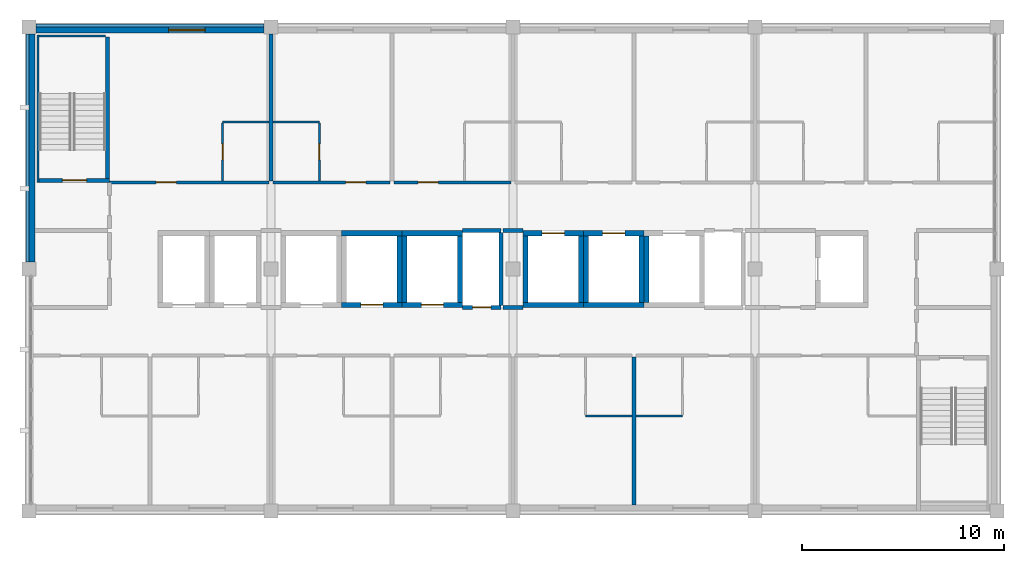
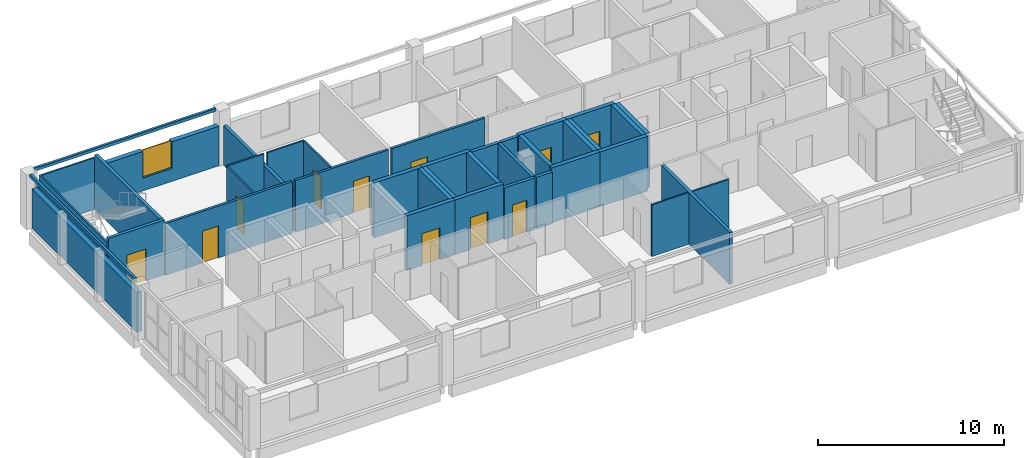
# One storey, part 7 of 11: 40 walls, 11 doors, 1 window, 12 openings.
"""IFC4 building model written with IfcOpenShell, lengths in metres."""

from ifc_helpers import new_model, si_unit, direction, frame, frame_2d, origin, place, context, subcontext, project, spatial, rectangle, extrude, material, layer, layer_set, type_object, element, fill, save


model = new_model("IFC4")

# Units and contexts
model_context = context("Model", 3, precision=1e-05, world=origin(), true_north=direction((0.0, 1.0)))
body_context = subcontext(model_context, "Body", "Model", "MODEL_VIEW")
ifc_project = project(units=[si_unit("LENGTHUNIT", "METRE"), si_unit("AREAUNIT", "SQUARE_METRE"), si_unit("VOLUMEUNIT", "CUBIC_METRE"), si_unit("PLANEANGLEUNIT", "RADIAN"), si_unit("MASSUNIT", "GRAM", prefix="KILO")], contexts=[model_context])

# Site, building, storey
site_placement = place(None, origin())
site = spatial("IfcSite", under=ifc_project, at=site_placement, CompositionType="ELEMENT")
building_placement = place(site_placement, origin())
building = spatial("IfcBuilding", under=site, at=building_placement, Name="Lilac Gate Convention Centre", CompositionType="ELEMENT")
storey_placement = place(building_placement, frame((0.0, 0.0, 60.60009765625)))
storey = spatial("IfcBuildingStorey", under=building, at=storey_placement, Name="L15", CompositionType="ELEMENT", Elevation=60.60009765625)

# Walls
ifc_material_1 = material(Name="Concrete C40", Category="concrete")
ifc_layer_1 = layer(ifc_material_1, 0.10009765625)
ifc_layer_set_1 = layer_set([ifc_layer_1], Name="Concrete C40")
wall_type_1 = type_object("IfcWallType", Name="Core wall 100 C40", PredefinedType="SHEAR", material=ifc_layer_set_1)
wall_1_placement = place(storey_placement, frame((42.449951171875, 238.300048828125, 0.0), z_axis=(0.0, 0.0, 1.0), x_axis=(0.0, 1.0, 0.0)))
element("IfcWall", 1, at=wall_1_placement, inside=storey, type_object=wall_type_1, Name="CRW10 core wall TS-WX L15 1", PredefinedType="SHEAR", context=body_context, shape_type="SweptSolid", body=[
    extrude(rectangle(XDim=7.300048828125, YDim=0.10009765625, at=frame_2d((3.64990234375, 0.0))), origin(), (0.0, 0.0, 1.0), 3.39990234375),
])
wall_2_placement = place(storey_placement, frame((42.5, 245.550048828125, 0.0), z_axis=(0.0, 0.0, 1.0), x_axis=(1.0, 0.0, 0.0)))
element("IfcWall", 2, at=wall_2_placement, inside=storey, type_object=wall_type_1, Name="CRW10 core wall TS-WX L15 2", PredefinedType="SHEAR", context=body_context, shape_type="SweptSolid", body=[
    extrude(rectangle(XDim=3.300048828125, YDim=0.10009765625, at=frame_2d((1.64990234375, 0.0))), origin(), (0.0, 0.0, 1.0), 3.39990234375),
])

# Wall, opening, door
ifc_layer_2 = layer(ifc_material_1, 0.199951171875)
ifc_layer_set_2 = layer_set([ifc_layer_2], Name="Concrete C40")
wall_type_2 = type_object("IfcWallType", Name="Core wall 200 C40", PredefinedType="SHEAR", material=ifc_layer_set_2)
wall_3_placement = place(storey_placement, frame((42.5, 238.39990234375, 0.0), z_axis=(0.0, 0.0, 1.0), x_axis=(1.0, 0.0, 0.0)))
wall_3 = element("IfcWall", 3, at=wall_3_placement, inside=storey, type_object=wall_type_2, Name="CRW7 core wall TS-W L15 1", PredefinedType="SHEAR", context=body_context, shape_type="SweptSolid", body=[
    extrude(rectangle(XDim=3.5, YDim=0.199951171875, at=frame_2d((1.75, 0.0))), origin(), (0.0, 0.0, 1.0), 3.599853515625),
])
opening_1_placement = place(wall_3_placement, frame((1.14990234375, 0.0, 0.0)))
opening_1 = element("IfcOpeningElement", 4, at=opening_1_placement, cuts=wall_3, Name="Opening T15-045", PredefinedType="OPENING", context=body_context, shape_type="SweptSolid", body=[
    extrude(rectangle(XDim=1.199951171875, YDim=2.10009765625, at=frame_2d((0.60009765625, 1.050048828125))), frame((0.0, 0.10986328125, 0.0), z_axis=(0.0, -1.0, 0.0), x_axis=(1.0, 0.0, 0.0)), (0.0, 0.0, 1.0), 0.219970703125),
])
ifc_material_2 = material(Name="Steel Q235B", Category="steel")
door_type_1 = type_object("IfcDoorType", Name="Stair door 1200", OperationType="SINGLE_SWING_LEFT", PredefinedType="DOOR", material=ifc_material_2)
door_1_placement = place(opening_1_placement, origin())
door_1 = element("IfcDoor", 5, at=door_1_placement, inside=storey, type_object=door_type_1, Name="Stair door NW L15", OperationType="SINGLE_SWING_RIGHT", OverallHeight=2.10009765625, OverallWidth=1.199951171875, PredefinedType="DOOR", context=body_context, shape_type="SweptSolid", body=[
    extrude(rectangle(XDim=1.199951171875, YDim=2.10009765625, at=frame_2d((0.60009765625, 1.050048828125))), frame((0.0, 0.02490234375, 0.0), z_axis=(0.0, -1.0, 0.0), x_axis=(1.0, 0.0, 0.0)), (0.0, 0.0, 1.0), 0.050048828125),
])
fill(opening_1, door_1)

# Wall
wall_4_placement = place(storey_placement, frame((45.89990234375, 238.5, 0.0), z_axis=(0.0, 0.0, 1.0), x_axis=(0.0, 1.0, 0.0)))
element("IfcWall", 6, at=wall_4_placement, inside=storey, type_object=wall_type_2, Name="CRW7 core wall TS-W L15 2", PredefinedType="SHEAR", context=body_context, shape_type="SweptSolid", body=[
    extrude(rectangle(XDim=7.0, YDim=0.199951171875, at=frame_2d((3.5, 0.0))), origin(), (0.0, 0.0, 1.0), 3.599853515625),
])

# Wall, opening, door
ifc_layer_3 = layer(ifc_material_1, 0.25)
ifc_layer_set_3 = layer_set([ifc_layer_3], Name="Concrete C40")
wall_type_3 = type_object("IfcWallType", Name="Core wall 250 C40", PredefinedType="SHEAR", material=ifc_layer_set_3)
wall_5_placement = place(storey_placement, frame((57.5, 232.22509765625, 0.0), z_axis=(0.0, 0.0, 1.0), x_axis=(1.0, 0.0, 0.0)))
wall_5 = element("IfcWall", 7, at=wall_5_placement, inside=storey, type_object=wall_type_3, Name="CRW5 core wall TC L15 5", PredefinedType="SHEAR", context=body_context, shape_type="SweptSolid", body=[
    extrude(rectangle(XDim=3.0, YDim=0.25, at=frame_2d((1.5, 0.0))), origin(), (0.0, 0.0, 1.0), 3.599853515625),
])
opening_2_placement = place(wall_5_placement, frame((0.949951171875, 0.0, 0.0)))
opening_2 = element("IfcOpeningElement", 8, at=opening_2_placement, cuts=wall_5, Name="Opening T15-037", PredefinedType="OPENING", context=body_context, shape_type="SweptSolid", body=[
    extrude(rectangle(XDim=1.10009765625, YDim=2.10009765625, at=frame_2d((0.550048828125, 1.050048828125))), frame((0.0, 0.135009765625, 0.0), z_axis=(0.0, -1.0, 0.0), x_axis=(1.0, 0.0, 0.0)), (0.0, 0.0, 1.0), 0.27001953125),
])
ifc_material_3 = material(Name="Stainless steel 304", Category="steel")
door_type_2 = type_object("IfcDoorType", Name="Lift landing door 1100", OperationType="SLIDING_TO_LEFT", PredefinedType="DOOR", material=ifc_material_3)
door_2_placement = place(opening_2_placement, origin())
door_2 = element("IfcDoor", 9, at=door_2_placement, inside=storey, type_object=door_type_2, Name="Lift landing door TP2 L15", OperationType="SLIDING_TO_LEFT", OverallHeight=2.10009765625, OverallWidth=1.10009765625, PredefinedType="DOOR", context=body_context, shape_type="SweptSolid", body=[
    extrude(rectangle(XDim=1.10009765625, YDim=2.10009765625, at=frame_2d((0.550048828125, 1.050048828125))), frame((0.0, 0.02490234375, 0.0), z_axis=(0.0, -1.0, 0.0), x_axis=(1.0, 0.0, 0.0)), (0.0, 0.0, 1.0), 0.050048828125),
])
fill(opening_2, door_2)

# Walls
wall_6_placement = place(storey_placement, frame((57.5, 235.77490234375, 0.0), z_axis=(0.0, 0.0, 1.0), x_axis=(1.0, 0.0, 0.0)))
element("IfcWall", 10, at=wall_6_placement, inside=storey, type_object=wall_type_3, Name="CRW5 core wall TC L15 6", PredefinedType="SHEAR", context=body_context, shape_type="SweptSolid", body=[
    extrude(rectangle(XDim=3.0, YDim=0.25, at=frame_2d((1.5, 0.0))), origin(), (0.0, 0.0, 1.0), 3.599853515625),
])
wall_7_placement = place(storey_placement, frame((60.375, 232.35009765625, 0.0), z_axis=(0.0, 0.0, 1.0), x_axis=(0.0, 1.0, 0.0)))
element("IfcWall", 11, at=wall_7_placement, inside=storey, type_object=wall_type_3, Name="CRW5 core wall TC L15 8", PredefinedType="SHEAR", context=body_context, shape_type="SweptSolid", body=[
    extrude(rectangle(XDim=3.2998046875, YDim=0.25, at=frame_2d((1.64990234375, 0.0))), origin(), (0.0, 0.0, 1.0), 3.599853515625),
])

# Wall, opening, door
wall_8_placement = place(storey_placement, frame((60.5, 232.22509765625, 0.0), z_axis=(0.0, 0.0, 1.0), x_axis=(1.0, 0.0, 0.0)))
wall_8 = element("IfcWall", 12, at=wall_8_placement, inside=storey, type_object=wall_type_3, Name="CRW5 core wall TC L15 9", PredefinedType="SHEAR", context=body_context, shape_type="SweptSolid", body=[
    extrude(rectangle(XDim=3.0, YDim=0.25, at=frame_2d((1.5, 0.0))), origin(), (0.0, 0.0, 1.0), 3.599853515625),
])
opening_3_placement = place(wall_8_placement, frame((0.949951171875, 0.0, 0.0)))
opening_3 = element("IfcOpeningElement", 13, at=opening_3_placement, cuts=wall_8, Name="Opening T15-038", PredefinedType="OPENING", context=body_context, shape_type="SweptSolid", body=[
    extrude(rectangle(XDim=1.10009765625, YDim=2.10009765625, at=frame_2d((0.550048828125, 1.050048828125))), frame((0.0, 0.135009765625, 0.0), z_axis=(0.0, -1.0, 0.0), x_axis=(1.0, 0.0, 0.0)), (0.0, 0.0, 1.0), 0.27001953125),
])
door_3_placement = place(opening_3_placement, origin())
door_3 = element("IfcDoor", 14, at=door_3_placement, inside=storey, type_object=door_type_2, Name="Lift landing door TP3 L15", OperationType="SLIDING_TO_LEFT", OverallHeight=2.10009765625, OverallWidth=1.10009765625, PredefinedType="DOOR", context=body_context, shape_type="SweptSolid", body=[
    extrude(rectangle(XDim=1.10009765625, YDim=2.10009765625, at=frame_2d((0.550048828125, 1.050048828125))), frame((0.0, 0.02490234375, 0.0), z_axis=(0.0, -1.0, 0.0), x_axis=(1.0, 0.0, 0.0)), (0.0, 0.0, 1.0), 0.050048828125),
])
fill(opening_3, door_3)

# Walls
wall_9_placement = place(storey_placement, frame((60.5, 235.77490234375, 0.0), z_axis=(0.0, 0.0, 1.0), x_axis=(1.0, 0.0, 0.0)))
element("IfcWall", 15, at=wall_9_placement, inside=storey, type_object=wall_type_3, Name="CRW5 core wall TC L15 10", PredefinedType="SHEAR", context=body_context, shape_type="SweptSolid", body=[
    extrude(rectangle(XDim=3.0, YDim=0.25, at=frame_2d((1.5, 0.0))), origin(), (0.0, 0.0, 1.0), 3.599853515625),
])
for number, where, z_axis, x_axis, name in (
    (16, (60.625, 232.35009765625, 0.0), (0.0, 0.0, 1.0), (0.0, 1.0, 0.0), "CRW5 core wall TC L15 11"),
    (17, (63.375, 232.35009765625, 0.0), (0.0, 0.0, 1.0), (0.0, 1.0, 0.0), "CRW5 core wall TC L15 12"),
):
    element("IfcWall", number, at=place(storey_placement, frame(where, z_axis=z_axis, x_axis=x_axis)), inside=storey, type_object=wall_type_3, Name=name, PredefinedType="SHEAR", context=body_context, shape_type="SweptSolid", body=[
        extrude(rectangle(XDim=3.2998046875, YDim=0.25, at=frame_2d((1.64990234375, 0.0))), origin(), (0.0, 0.0, 1.0), 3.599853515625),
    ])
wall_10_placement = place(storey_placement, frame((66.5, 232.22509765625, 0.0), z_axis=(0.0, 0.0, 1.0), x_axis=(1.0, 0.0, 0.0)))
element("IfcWall", 18, at=wall_10_placement, inside=storey, type_object=wall_type_3, Name="CRW5 core wall TC L15 13", PredefinedType="SHEAR", context=body_context, shape_type="SweptSolid", body=[
    extrude(rectangle(XDim=3.0, YDim=0.25, at=frame_2d((1.5, 0.0))), origin(), (0.0, 0.0, 1.0), 3.599853515625),
])

# Wall, opening, door
wall_11_placement = place(storey_placement, frame((66.5, 235.77490234375, 0.0), z_axis=(0.0, 0.0, 1.0), x_axis=(1.0, 0.0, 0.0)))
wall_11 = element("IfcWall", 19, at=wall_11_placement, inside=storey, type_object=wall_type_3, Name="CRW5 core wall TC L15 14", PredefinedType="SHEAR", context=body_context, shape_type="SweptSolid", body=[
    extrude(rectangle(XDim=3.0, YDim=0.25, at=frame_2d((1.5, 0.0))), origin(), (0.0, 0.0, 1.0), 3.599853515625),
])
opening_4_placement = place(wall_11_placement, frame((0.949951171875, 0.0, 0.0)))
opening_4 = element("IfcOpeningElement", 20, at=opening_4_placement, cuts=wall_11, Name="Opening T15-039", PredefinedType="OPENING", context=body_context, shape_type="SweptSolid", body=[
    extrude(rectangle(XDim=1.10009765625, YDim=2.10009765625, at=frame_2d((0.550048828125, 1.050048828125))), frame((0.0, 0.135009765625, 0.0), z_axis=(0.0, -1.0, 0.0), x_axis=(1.0, 0.0, 0.0)), (0.0, 0.0, 1.0), 0.27001953125),
])
door_4_placement = place(opening_4_placement, origin())
door_4 = element("IfcDoor", 21, at=door_4_placement, inside=storey, type_object=door_type_2, Name="Lift landing door TP4 L15", OperationType="SLIDING_TO_LEFT", OverallHeight=2.10009765625, OverallWidth=1.10009765625, PredefinedType="DOOR", context=body_context, shape_type="SweptSolid", body=[
    extrude(rectangle(XDim=1.10009765625, YDim=2.10009765625, at=frame_2d((0.550048828125, 1.050048828125))), frame((0.0, 0.02490234375, 0.0), z_axis=(0.0, -1.0, 0.0), x_axis=(1.0, 0.0, 0.0)), (0.0, 0.0, 1.0), 0.050048828125),
])
fill(opening_4, door_4)

# Walls
for number, where, z_axis, x_axis, name in (
    (22, (66.625, 232.35009765625, 0.0), (0.0, 0.0, 1.0), (0.0, 1.0, 0.0), "CRW5 core wall TC L15 15"),
    (23, (69.375, 232.35009765625, 0.0), (0.0, 0.0, 1.0), (0.0, 1.0, 0.0), "CRW5 core wall TC L15 16"),
):
    element("IfcWall", number, at=place(storey_placement, frame(where, z_axis=z_axis, x_axis=x_axis)), inside=storey, type_object=wall_type_3, Name=name, PredefinedType="SHEAR", context=body_context, shape_type="SweptSolid", body=[
        extrude(rectangle(XDim=3.2998046875, YDim=0.25, at=frame_2d((1.64990234375, 0.0))), origin(), (0.0, 0.0, 1.0), 3.599853515625),
    ])
wall_12_placement = place(storey_placement, frame((69.5, 232.22509765625, 0.0), z_axis=(0.0, 0.0, 1.0), x_axis=(1.0, 0.0, 0.0)))
element("IfcWall", 24, at=wall_12_placement, inside=storey, type_object=wall_type_3, Name="CRW5 core wall TC L15 17", PredefinedType="SHEAR", context=body_context, shape_type="SweptSolid", body=[
    extrude(rectangle(XDim=3.0, YDim=0.25, at=frame_2d((1.5, 0.0))), origin(), (0.0, 0.0, 1.0), 3.599853515625),
])

# Wall, opening, door
wall_13_placement = place(storey_placement, frame((69.5, 235.77490234375, 0.0), z_axis=(0.0, 0.0, 1.0), x_axis=(1.0, 0.0, 0.0)))
wall_13 = element("IfcWall", 25, at=wall_13_placement, inside=storey, type_object=wall_type_3, Name="CRW5 core wall TC L15 18", PredefinedType="SHEAR", context=body_context, shape_type="SweptSolid", body=[
    extrude(rectangle(XDim=3.0, YDim=0.25, at=frame_2d((1.5, 0.0))), origin(), (0.0, 0.0, 1.0), 3.599853515625),
])
opening_5_placement = place(wall_13_placement, frame((0.949951171875, 0.0, 0.0)))
opening_5 = element("IfcOpeningElement", 26, at=opening_5_placement, cuts=wall_13, Name="Opening T15-040", PredefinedType="OPENING", context=body_context, shape_type="SweptSolid", body=[
    extrude(rectangle(XDim=1.10009765625, YDim=2.10009765625, at=frame_2d((0.550048828125, 1.050048828125))), frame((0.0, 0.135009765625, 0.0), z_axis=(0.0, -1.0, 0.0), x_axis=(1.0, 0.0, 0.0)), (0.0, 0.0, 1.0), 0.27001953125),
])
door_5_placement = place(opening_5_placement, origin())
door_5 = element("IfcDoor", 27, at=door_5_placement, inside=storey, type_object=door_type_2, Name="Lift landing door TP5 L15", OperationType="SLIDING_TO_LEFT", OverallHeight=2.10009765625, OverallWidth=1.10009765625, PredefinedType="DOOR", context=body_context, shape_type="SweptSolid", body=[
    extrude(rectangle(XDim=1.10009765625, YDim=2.10009765625, at=frame_2d((0.550048828125, 1.050048828125))), frame((0.0, 0.02490234375, 0.0), z_axis=(0.0, -1.0, 0.0), x_axis=(1.0, 0.0, 0.0)), (0.0, 0.0, 1.0), 0.050048828125),
])
fill(opening_5, door_5)

# Walls
for number, where, z_axis, x_axis, name in (
    (28, (69.625, 232.35009765625, 0.0), (0.0, 0.0, 1.0), (0.0, 1.0, 0.0), "CRW5 core wall TC L15 19"),
    (29, (72.375, 232.35009765625, 0.0), (0.0, 0.0, 1.0), (0.0, 1.0, 0.0), "CRW5 core wall TC L15 20"),
    (30, (72.625, 232.35009765625, 0.0), (0.0, 0.0, 1.0), (0.0, 1.0, 0.0), "CRW5 core wall TC L15 23"),
):
    element("IfcWall", number, at=place(storey_placement, frame(where, z_axis=z_axis, x_axis=x_axis)), inside=storey, type_object=wall_type_3, Name=name, PredefinedType="SHEAR", context=body_context, shape_type="SweptSolid", body=[
        extrude(rectangle(XDim=3.2998046875, YDim=0.25, at=frame_2d((1.64990234375, 0.0))), origin(), (0.0, 0.0, 1.0), 3.599853515625),
    ])

# Wall, opening, door
ifc_material_4 = material(Name="Gypsum board on steel stud", Category="steel")
ifc_layer_4 = layer(ifc_material_4, 0.14990234375)
ifc_layer_set_4 = layer_set([ifc_layer_4], Name="Gypsum board on steel stud")
wall_type_4 = type_object("IfcWallType", Name="Corridor wall 150", PredefinedType="PARTITIONING", material=ifc_layer_set_4)
wall_14_placement = place(storey_placement, frame((46.0, 238.300048828125, 0.0), z_axis=(0.0, 0.0, 1.0), x_axis=(1.0, 0.0, 0.0)))
wall_14 = element("IfcWall", 31, at=wall_14_placement, inside=storey, type_object=wall_type_4, Name="Corridor wall 150 front 1508", PredefinedType="PARTITIONING", context=body_context, shape_type="SweptSolid", body=[
    extrude(rectangle(XDim=7.89990234375, YDim=0.14990234375, at=frame_2d((3.949951171875, 0.0))), origin(), (0.0, 0.0, 1.0), 3.39990234375),
])
opening_6_placement = place(wall_14_placement, frame((2.300048828125, 0.0, 0.0)))
opening_6 = element("IfcOpeningElement", 32, at=opening_6_placement, cuts=wall_14, Name="Opening T15-022", PredefinedType="OPENING", context=body_context, shape_type="SweptSolid", body=[
    extrude(rectangle(XDim=1.0, YDim=2.10009765625, at=frame_2d((0.5, 1.050048828125))), frame((0.0, 0.0849609375, 0.0), z_axis=(0.0, -1.0, 0.0), x_axis=(1.0, 0.0, 0.0)), (0.0, 0.0, 1.0), 0.169921875),
])
ifc_material_5 = material(Name="Timber", Category="wood")
door_type_3 = type_object("IfcDoorType", Name="Guest room entrance door 1000", OperationType="SINGLE_SWING_LEFT", PredefinedType="DOOR", material=ifc_material_5)
door_6_placement = place(opening_6_placement, origin())
door_6 = element("IfcDoor", 33, at=door_6_placement, inside=storey, type_object=door_type_3, Name="Guest room door 1508", OperationType="SINGLE_SWING_LEFT", OverallHeight=2.10009765625, OverallWidth=1.0, PredefinedType="DOOR", context=body_context, shape_type="SweptSolid", body=[
    extrude(rectangle(XDim=1.0, YDim=2.10009765625, at=frame_2d((0.5, 1.050048828125))), frame((0.0, 0.02490234375, 0.0), z_axis=(0.0, -1.0, 0.0), x_axis=(1.0, 0.0, 0.0)), (0.0, 0.0, 1.0), 0.050048828125),
])
fill(opening_6, door_6)

wall_15_placement = place(storey_placement, frame((54.10009765625, 238.300048828125, 0.0), z_axis=(0.0, 0.0, 1.0), x_axis=(1.0, 0.0, 0.0)))
wall_15 = element("IfcWall", 34, at=wall_15_placement, inside=storey, type_object=wall_type_4, Name="Corridor wall 150 front 1509", PredefinedType="PARTITIONING", context=body_context, shape_type="SweptSolid", body=[
    extrude(rectangle(XDim=5.7998046875, YDim=0.14990234375, at=frame_2d((2.89990234375, 0.0))), origin(), (0.0, 0.0, 1.0), 3.39990234375),
])
opening_7_placement = place(wall_15_placement, frame((3.60009765625, 0.0, 0.0)))
opening_7 = element("IfcOpeningElement", 35, at=opening_7_placement, cuts=wall_15, Name="Opening T15-024", PredefinedType="OPENING", context=body_context, shape_type="SweptSolid", body=[
    extrude(rectangle(XDim=1.0, YDim=2.10009765625, at=frame_2d((0.5, 1.050048828125))), frame((0.0, 0.0849609375, 0.0), z_axis=(0.0, -1.0, 0.0), x_axis=(1.0, 0.0, 0.0)), (0.0, 0.0, 1.0), 0.169921875),
])
door_7_placement = place(opening_7_placement, origin())
door_7 = element("IfcDoor", 36, at=door_7_placement, inside=storey, type_object=door_type_3, Name="Guest room door 1509", OperationType="SINGLE_SWING_RIGHT", OverallHeight=2.10009765625, OverallWidth=1.0, PredefinedType="DOOR", context=body_context, shape_type="SweptSolid", body=[
    extrude(rectangle(XDim=1.0, YDim=2.10009765625, at=frame_2d((0.5, 1.050048828125))), frame((0.0, 0.02490234375, 0.0), z_axis=(0.0, -1.0, 0.0), x_axis=(1.0, 0.0, 0.0)), (0.0, 0.0, 1.0), 0.050048828125),
])
fill(opening_7, door_7)

wall_16_placement = place(storey_placement, frame((60.10009765625, 238.300048828125, 0.0), z_axis=(0.0, 0.0, 1.0), x_axis=(1.0, 0.0, 0.0)))
wall_16 = element("IfcWall", 37, at=wall_16_placement, inside=storey, type_object=wall_type_4, Name="Corridor wall 150 front 1510", PredefinedType="PARTITIONING", context=body_context, shape_type="SweptSolid", body=[
    extrude(rectangle(XDim=5.7998046875, YDim=0.14990234375, at=frame_2d((2.89990234375, 0.0))), origin(), (0.0, 0.0, 1.0), 3.39990234375),
])
opening_8_placement = place(wall_16_placement, frame((1.199951171875, 0.0, 0.0)))
opening_8 = element("IfcOpeningElement", 38, at=opening_8_placement, cuts=wall_16, Name="Opening T15-026", PredefinedType="OPENING", context=body_context, shape_type="SweptSolid", body=[
    extrude(rectangle(XDim=1.0, YDim=2.10009765625, at=frame_2d((0.5, 1.050048828125))), frame((0.0, 0.0849609375, 0.0), z_axis=(0.0, -1.0, 0.0), x_axis=(1.0, 0.0, 0.0)), (0.0, 0.0, 1.0), 0.169921875),
])
door_8_placement = place(opening_8_placement, origin())
door_8 = element("IfcDoor", 39, at=door_8_placement, inside=storey, type_object=door_type_3, Name="Guest room door 1510", OperationType="SINGLE_SWING_LEFT", OverallHeight=2.10009765625, OverallWidth=1.0, PredefinedType="DOOR", context=body_context, shape_type="SweptSolid", body=[
    extrude(rectangle(XDim=1.0, YDim=2.10009765625, at=frame_2d((0.5, 1.050048828125))), frame((0.0, 0.02490234375, 0.0), z_axis=(0.0, -1.0, 0.0), x_axis=(1.0, 0.0, 0.0)), (0.0, 0.0, 1.0), 0.050048828125),
])
fill(opening_8, door_8)

# Walls
ifc_layer_5 = layer(ifc_material_4, 0.10009765625)
ifc_layer_set_5 = layer_set([ifc_layer_5], Name="Gypsum board on steel stud")
wall_type_5 = type_object("IfcWallType", Name="En-suite wall 100", PredefinedType="PARTITIONING", material=ifc_layer_set_5)
for number, where, z_axis, x_axis, name in (
    (40, (69.60009765625, 226.699951171875, 0.0), (0.0, 0.0, 1.0), (1.0, 0.0, 0.0), "En-suite wall 100 bath 1505"),
    (41, (72.10009765625, 226.699951171875, 0.0), (0.0, 0.0, 1.0), (1.0, 0.0, 0.0), "En-suite wall 100 bath 1506"),
    (42, (51.60009765625, 241.300048828125, 0.0), (0.0, 0.0, 1.0), (1.0, 0.0, 0.0), "En-suite wall 100 bath 1508"),
):
    element("IfcWall", number, at=place(storey_placement, frame(where, z_axis=z_axis, x_axis=x_axis)), inside=storey, type_object=wall_type_5, Name=name, PredefinedType="PARTITIONING", context=body_context, shape_type="SweptSolid", body=[
        extrude(rectangle(XDim=2.2998046875, YDim=0.10009765625, at=frame_2d((1.14990234375, 0.0))), origin(), (0.0, 0.0, 1.0), 3.39990234375),
    ])

# Wall, opening, door
wall_17_placement = place(storey_placement, frame((51.60009765625, 238.375, 0.0), z_axis=(0.0, 0.0, 1.0), x_axis=(0.0, 1.0, 0.0)))
wall_17 = element("IfcWall", 43, at=wall_17_placement, inside=storey, type_object=wall_type_5, Name="En-suite wall 100 bath side 1508", PredefinedType="PARTITIONING", context=body_context, shape_type="SweptSolid", body=[
    extrude(rectangle(XDim=2.875, YDim=0.10009765625, at=frame_2d((1.4375, 0.0))), origin(), (0.0, 0.0, 1.0), 3.39990234375),
])
opening_9_placement = place(wall_17_placement, frame((1.03759765625, 0.0, 0.0)))
opening_9 = element("IfcOpeningElement", 44, at=opening_9_placement, cuts=wall_17, Name="Opening T15-023", PredefinedType="OPENING", context=body_context, shape_type="SweptSolid", body=[
    extrude(rectangle(XDim=0.800048828125, YDim=2.10009765625, at=frame_2d((0.39990234375, 1.050048828125))), frame((0.0, 0.06005859375, 0.0), z_axis=(0.0, -1.0, 0.0), x_axis=(1.0, 0.0, 0.0)), (0.0, 0.0, 1.0), 0.1201171875),
])
door_type_4 = type_object("IfcDoorType", Name="En-suite door 800", OperationType="SINGLE_SWING_LEFT", PredefinedType="DOOR", material=ifc_material_5)
door_9_placement = place(opening_9_placement, origin())
door_9 = element("IfcDoor", 45, at=door_9_placement, inside=storey, type_object=door_type_4, Name="En-suite door 1508", OperationType="SINGLE_SWING_LEFT", OverallHeight=2.10009765625, OverallWidth=0.800048828125, PredefinedType="DOOR", context=body_context, shape_type="SweptSolid", body=[
    extrude(rectangle(XDim=0.800048828125, YDim=2.10009765625, at=frame_2d((0.39990234375, 1.050048828125))), frame((0.0, 0.02490234375, 0.0), z_axis=(0.0, -1.0, 0.0), x_axis=(1.0, 0.0, 0.0)), (0.0, 0.0, 1.0), 0.050048828125),
])
fill(opening_9, door_9)

# Wall
wall_18_placement = place(storey_placement, frame((54.10009765625, 241.300048828125, 0.0), z_axis=(0.0, 0.0, 1.0), x_axis=(1.0, 0.0, 0.0)))
element("IfcWall", 46, at=wall_18_placement, inside=storey, type_object=wall_type_5, Name="En-suite wall 100 bath 1509", PredefinedType="PARTITIONING", context=body_context, shape_type="SweptSolid", body=[
    extrude(rectangle(XDim=2.2998046875, YDim=0.10009765625, at=frame_2d((1.14990234375, 0.0))), origin(), (0.0, 0.0, 1.0), 3.39990234375),
])

# Wall, opening, door
wall_19_placement = place(storey_placement, frame((56.39990234375, 241.25, 0.0), z_axis=(0.0, 0.0, 1.0), x_axis=(0.0, -1.0, 0.0)))
wall_19 = element("IfcWall", 47, at=wall_19_placement, inside=storey, type_object=wall_type_5, Name="En-suite wall 100 bath side 1509", PredefinedType="PARTITIONING", context=body_context, shape_type="SweptSolid", body=[
    extrude(rectangle(XDim=2.875, YDim=0.10009765625, at=frame_2d((1.4375, 0.0))), origin(), (0.0, 0.0, 1.0), 3.39990234375),
])
opening_10_placement = place(wall_19_placement, frame((1.03759765625, 0.0, 0.0)))
opening_10 = element("IfcOpeningElement", 48, at=opening_10_placement, cuts=wall_19, Name="Opening T15-025", PredefinedType="OPENING", context=body_context, shape_type="SweptSolid", body=[
    extrude(rectangle(XDim=0.800048828125, YDim=2.10009765625, at=frame_2d((0.39990234375, 1.050048828125))), frame((0.0, 0.06005859375, 0.0), z_axis=(0.0, -1.0, 0.0), x_axis=(1.0, 0.0, 0.0)), (0.0, 0.0, 1.0), 0.1201171875),
])
door_10_placement = place(opening_10_placement, origin())
door_10 = element("IfcDoor", 49, at=door_10_placement, inside=storey, type_object=door_type_4, Name="En-suite door 1509", OperationType="SINGLE_SWING_RIGHT", OverallHeight=2.10009765625, OverallWidth=0.800048828125, PredefinedType="DOOR", context=body_context, shape_type="SweptSolid", body=[
    extrude(rectangle(XDim=0.800048828125, YDim=2.10009765625, at=frame_2d((0.39990234375, 1.050048828125))), frame((0.0, 0.02490234375, 0.0), z_axis=(0.0, -1.0, 0.0), x_axis=(1.0, 0.0, 0.0)), (0.0, 0.0, 1.0), 0.050048828125),
])
fill(opening_10, door_10)

# Walls
ifc_layer_6 = layer(ifc_material_4, 0.199951171875)
ifc_layer_set_6 = layer_set([ifc_layer_6], Name="Gypsum board on steel stud")
wall_type_6 = type_object("IfcWallType", Name="Guest room party wall 200", PredefinedType="PARTITIONING", material=ifc_layer_set_6)
wall_20_placement = place(storey_placement, frame((72.0, 222.2998046875, 0.0), z_axis=(0.0, 0.0, 1.0), x_axis=(0.0, 1.0, 0.0)))
element("IfcWall", 50, at=wall_20_placement, inside=storey, type_object=wall_type_6, Name="Guest room party wall 200 party 72.0", PredefinedType="PARTITIONING", context=body_context, shape_type="SweptSolid", body=[
    extrude(rectangle(XDim=7.3251953125, YDim=0.199951171875, at=frame_2d((3.66259765625, 0.0))), origin(), (0.0, 0.0, 1.0), 3.39990234375),
])
wall_21_placement = place(storey_placement, frame((54.0, 245.64990234375, 0.0), z_axis=(0.0, 0.0, 1.0), x_axis=(0.0, -1.0, 0.0)))
element("IfcWall", 51, at=wall_21_placement, inside=storey, type_object=wall_type_6, Name="Guest room party wall 200 party 54.0", PredefinedType="PARTITIONING", context=body_context, shape_type="SweptSolid", body=[
    extrude(rectangle(XDim=7.27490234375, YDim=0.199951171875, at=frame_2d((3.637451171875, 0.0))), origin(), (0.0, 0.0, 1.0), 2.599853515625),
])
ifc_material_6 = material(Name="Concrete C40 precast", Category="concrete")
ifc_layer_7 = layer(ifc_material_6, 0.1298828125)
ifc_material_7 = material(Name="Terracotta glazed cladding", Category="masonry")
ifc_layer_8 = layer(ifc_material_7, 0.02001953125)
ifc_layer_set_7 = layer_set([ifc_layer_7, ifc_layer_8], Name="Concrete C40 precast, Terracotta glazed cladding")
wall_type_7 = type_object("IfcWallType", Name="Precast band terracotta 150", PredefinedType="STANDARD", material=ifc_layer_set_7)
for number, where, z_axis, x_axis, name in (
    (52, (53.64990234375, 246.074951171875, 3.39990234375), (0.0, 0.0, 1.0), (-1.0, 0.0, 0.0), "Precast band N L15 4"),
    (53, (41.925048828125, 245.64990234375, 3.39990234375), (0.0, 0.0, 1.0), (0.0, -1.0, 0.0), "Precast band W L15 1"),
):
    element("IfcWall", number, at=place(storey_placement, frame(where, z_axis=z_axis, x_axis=x_axis)), inside=storey, type_object=wall_type_7, Name=name, PredefinedType="STANDARD", context=body_context, shape_type="SweptSolid", body=[
        extrude(rectangle(XDim=11.2998046875, YDim=0.14990234375, at=frame_2d((5.64990234375, 0.0))), origin(), (0.0, 0.0, 1.0), 0.199951171875),
    ])

# Wall, opening, window
ifc_material_8 = material(Name="Ochre mineral render")
ifc_layer_9 = layer(ifc_material_8, 0.02001953125)
ifc_layer_10 = layer(ifc_material_6, 0.06005859375)
ifc_material_9 = material(Name="Ventilated air cavity")
ifc_layer_11 = layer(ifc_material_9, 0.030029296875)
ifc_material_10 = material(Name="Mineral wool insulation")
ifc_layer_12 = layer(ifc_material_10, 0.1201171875)
ifc_material_11 = material(Name="Steel stud Q345 and gypsum lining", Category="steel")
ifc_layer_13 = layer(ifc_material_11, 0.070068359375)
ifc_layer_set_8 = layer_set([ifc_layer_9, ifc_layer_10, ifc_layer_11, ifc_layer_12, ifc_layer_13], Name="Ochre mineral render, Concrete C40 precast, Ventilated air cavity, Mineral wool insulation, Steel stud Q345 and gypsum lining")
wall_type_8 = type_object("IfcWallType", Name="Precast panel wall ochre 300", PredefinedType="STANDARD", material=ifc_layer_set_8)
wall_22_placement = place(storey_placement, frame((53.64990234375, 245.85009765625, 0.0), z_axis=(0.0, 0.0, 1.0), x_axis=(-1.0, 0.0, 0.0)))
wall_22 = element("IfcWall", 54, at=wall_22_placement, inside=storey, type_object=wall_type_8, Name="External wall N L15 4", PredefinedType="STANDARD", context=body_context, shape_type="SweptSolid", body=[
    extrude(rectangle(XDim=11.2998046875, YDim=0.300048828125, at=frame_2d((5.64990234375, 0.0))), origin(), (0.0, 0.0, 1.0), 2.599853515625),
])
opening_11_placement = place(wall_22_placement, frame((2.925048828125, 0.0, 0.85009765625)))
opening_11 = element("IfcOpeningElement", 55, at=opening_11_placement, cuts=wall_22, Name="Opening W1", PredefinedType="OPENING", context=body_context, shape_type="SweptSolid", body=[
    extrude(rectangle(XDim=1.800048828125, YDim=1.75, at=frame_2d((0.89990234375, 0.875))), frame((0.0, 0.159912109375, 0.0), z_axis=(0.0, -1.0, 0.0), x_axis=(1.0, 0.0, 0.0)), (0.0, 0.0, 1.0), 0.320068359375),
])
ifc_material_12 = material(Name="Aluminium framed double glazing", Category="aluminium")
window_type = type_object("IfcWindowType", Name="Guest room window 1800 x 1750", PartitioningType="DOUBLE_PANEL_VERTICAL", PredefinedType="WINDOW", material=ifc_material_12)
window_placement = place(opening_11_placement, origin())
window = element("IfcWindow", 56, at=window_placement, inside=storey, type_object=window_type, Name="Window Guest N L15", OverallHeight=1.75, OverallWidth=1.800048828125, PartitioningType="SINGLE_PANEL", PredefinedType="WINDOW", context=body_context, shape_type="SweptSolid", body=[
    extrude(rectangle(XDim=1.800048828125, YDim=1.75, at=frame_2d((0.89990234375, 0.875))), frame((0.0, 0.030029296875, 0.0), z_axis=(0.0, -1.0, 0.0), x_axis=(1.0, 0.0, 0.0)), (0.0, 0.0, 1.0), 0.06005859375),
])
fill(opening_11, window)

# Wall
wall_23_placement = place(storey_placement, frame((42.14990234375, 245.64990234375, 0.0), z_axis=(0.0, 0.0, 1.0), x_axis=(0.0, -1.0, 0.0)))
element("IfcWall", 57, at=wall_23_placement, inside=storey, type_object=wall_type_8, Name="External wall W L15 1", PredefinedType="STANDARD", context=body_context, shape_type="SweptSolid", body=[
    extrude(rectangle(XDim=11.2998046875, YDim=0.300048828125, at=frame_2d((5.64990234375, 0.0))), origin(), (0.0, 0.0, 1.0), 2.599853515625),
])

# Wall, opening, door
ifc_layer_14 = layer(ifc_material_4, 0.199951171875)
ifc_layer_set_9 = layer_set([ifc_layer_14], Name="Gypsum board on steel stud")
wall_type_9 = type_object("IfcWallType", Name="Riser and store wall 200", PredefinedType="PARTITIONING", material=ifc_layer_set_9)
wall_24_placement = place(storey_placement, frame((63.5, 232.10009765625, 0.0), z_axis=(0.0, 0.0, 1.0), x_axis=(1.0, 0.0, 0.0)))
wall_24 = element("IfcWall", 58, at=wall_24_placement, inside=storey, type_object=wall_type_9, Name="Riser and store wall 200 RS1-S", PredefinedType="PARTITIONING", context=body_context, shape_type="SweptSolid", body=[
    extrude(rectangle(XDim=1.89990234375, YDim=0.199951171875, at=frame_2d((0.949951171875, 0.0))), origin(), (0.0, 0.0, 1.0), 3.39990234375),
])
opening_12_placement = place(wall_24_placement, frame((0.5, 0.0, 0.0)))
opening_12 = element("IfcOpeningElement", 59, at=opening_12_placement, cuts=wall_24, Name="Opening T15-002", PredefinedType="OPENING", context=body_context, shape_type="SweptSolid", body=[
    extrude(rectangle(XDim=0.89990234375, YDim=2.10009765625, at=frame_2d((0.449951171875, 1.050048828125))), frame((0.0, 0.10986328125, 0.0), z_axis=(0.0, -1.0, 0.0), x_axis=(1.0, 0.0, 0.0)), (0.0, 0.0, 1.0), 0.219970703125),
])
door_type_5 = type_object("IfcDoorType", Name="Riser and store door 900", OperationType="SINGLE_SWING_LEFT", PredefinedType="DOOR", material=ifc_material_2)
door_11_placement = place(opening_12_placement, origin())
door_11 = element("IfcDoor", 60, at=door_11_placement, inside=storey, type_object=door_type_5, Name="Riser room door", OperationType="SINGLE_SWING_RIGHT", OverallHeight=2.10009765625, OverallWidth=0.89990234375, PredefinedType="DOOR", context=body_context, shape_type="SweptSolid", body=[
    extrude(rectangle(XDim=0.89990234375, YDim=2.10009765625, at=frame_2d((0.449951171875, 1.050048828125))), frame((0.0, 0.02490234375, 0.0), z_axis=(0.0, -1.0, 0.0), x_axis=(1.0, 0.0, 0.0)), (0.0, 0.0, 1.0), 0.050048828125),
])
fill(opening_12, door_11)

# Walls
wall_25_placement = place(storey_placement, frame((65.5, 232.10009765625, 0.0), z_axis=(0.0, 0.0, 1.0), x_axis=(1.0, 0.0, 0.0)))
element("IfcWall", 61, at=wall_25_placement, inside=storey, type_object=wall_type_9, Name="Riser and store wall 200 NICHE2-S", PredefinedType="PARTITIONING", context=body_context, shape_type="SweptSolid", body=[
    extrude(rectangle(XDim=1.0, YDim=0.199951171875, at=frame_2d((0.5, 0.0))), origin(), (0.0, 0.0, 1.0), 3.39990234375),
])
wall_26_placement = place(storey_placement, frame((63.5, 235.89990234375, 0.0), z_axis=(0.0, 0.0, 1.0), x_axis=(1.0, 0.0, 0.0)))
element("IfcWall", 62, at=wall_26_placement, inside=storey, type_object=wall_type_9, Name="Riser and store wall 200 RS1-N", PredefinedType="PARTITIONING", context=body_context, shape_type="SweptSolid", body=[
    extrude(rectangle(XDim=1.89990234375, YDim=0.199951171875, at=frame_2d((0.949951171875, 0.0))), origin(), (0.0, 0.0, 1.0), 3.39990234375),
])
wall_27_placement = place(storey_placement, frame((65.5, 235.89990234375, 0.0), z_axis=(0.0, 0.0, 1.0), x_axis=(1.0, 0.0, 0.0)))
element("IfcWall", 63, at=wall_27_placement, inside=storey, type_object=wall_type_9, Name="Riser and store wall 200 NICHE2-N", PredefinedType="PARTITIONING", context=body_context, shape_type="SweptSolid", body=[
    extrude(rectangle(XDim=1.0, YDim=0.199951171875, at=frame_2d((0.5, 0.0))), origin(), (0.0, 0.0, 1.0), 3.39990234375),
])
wall_28_placement = place(storey_placement, frame((65.39990234375, 232.199951171875, 0.0), z_axis=(0.0, 0.0, 1.0), x_axis=(0.0, 1.0, 0.0)))
element("IfcWall", 64, at=wall_28_placement, inside=storey, type_object=wall_type_9, Name="Riser and store wall 200 RS1-E", PredefinedType="PARTITIONING", context=body_context, shape_type="SweptSolid", body=[
    extrude(rectangle(XDim=3.60009765625, YDim=0.199951171875, at=frame_2d((1.800048828125, 0.0))), origin(), (0.0, 0.0, 1.0), 3.39990234375),
])

save(model, "model.ifc")
